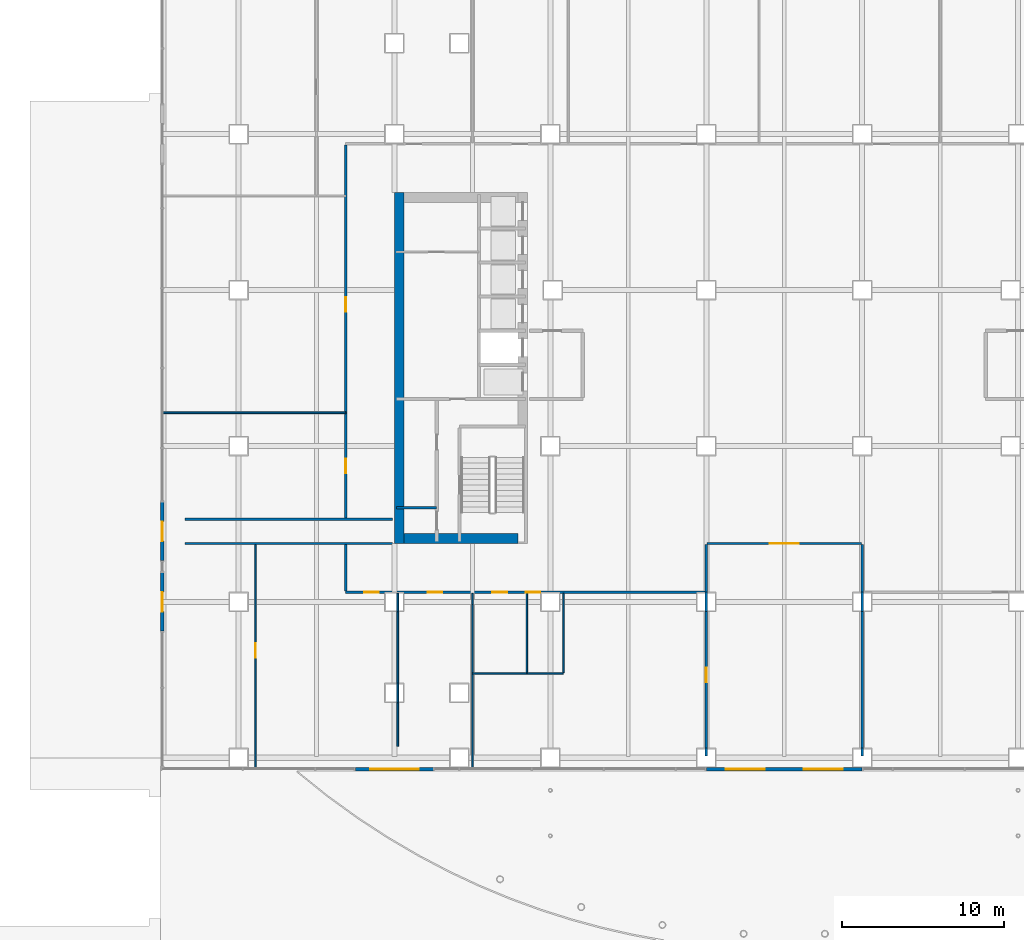
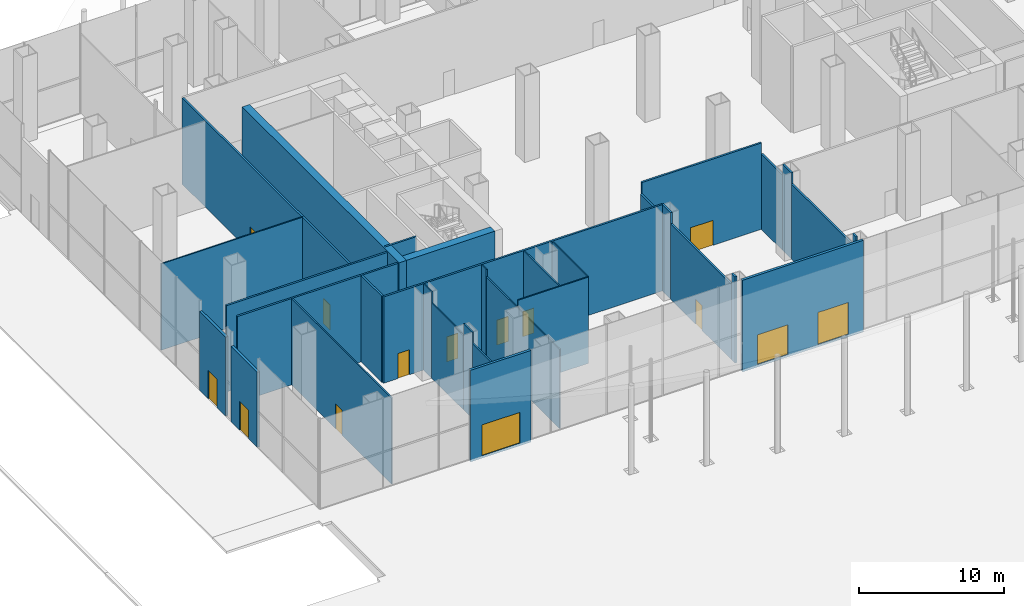
# One storey, part 26 of 36: 32 walls, 14 doors, 14 openings.
"""IFC4 building model written with IfcOpenShell, lengths in metres."""

from ifc_helpers import new_model, si_unit, direction, frame, frame_2d, origin, place, context, subcontext, project, spatial, rectangle, extrude, material, layer, layer_set, type_object, element, fill, save


model = new_model("IFC4")

# Units and contexts
model_context = context("Model", 3, precision=1e-05, world=origin(), true_north=direction((0.0, 1.0)))
body_context = subcontext(model_context, "Body", "Model", "MODEL_VIEW")
ifc_project = project(units=[si_unit("LENGTHUNIT", "METRE"), si_unit("AREAUNIT", "SQUARE_METRE"), si_unit("VOLUMEUNIT", "CUBIC_METRE"), si_unit("PLANEANGLEUNIT", "RADIAN"), si_unit("MASSUNIT", "GRAM", prefix="KILO")], contexts=[model_context])

# Site, building, storey
site_placement = place(None, origin())
site = spatial("IfcSite", under=ifc_project, at=site_placement, CompositionType="ELEMENT")
building_placement = place(site_placement, origin())
building = spatial("IfcBuilding", under=site, at=building_placement, Name="Cobrizo Arcos Hotel Tower", CompositionType="ELEMENT")
storey_placement = place(building_placement, origin())
storey = spatial("IfcBuildingStorey", under=building, at=storey_placement, Name="L00", CompositionType="ELEMENT", Elevation=0.0)

# Wall, openings, doors
ifc_material_1 = material(Name="Gypsum board partition")
ifc_layer_1 = layer(ifc_material_1, 0.14990234375)
ifc_layer_set_1 = layer_set([ifc_layer_1], Name="Corridor wall EI 60 150")
wall_type_1 = type_object("IfcWallType", Name="Corridor wall EI 60 150", PredefinedType="PARTITIONING", material=ifc_layer_set_1)
wall_1_placement = place(storey_placement, frame((-27.0, -13.800048828125, 0.0), z_axis=(0.0, 0.0, 1.0), x_axis=(1.0, 0.0, 0.0)))
wall_1 = element("IfcWall", 1, at=wall_1_placement, inside=storey, type_object=wall_type_1, Name="Partition 004", PredefinedType="PARTITIONING", context=body_context, shape_type="SweptSolid", body=[
    extrude(rectangle(XDim=22.199951171875, YDim=0.14990234375, at=frame_2d((11.10009765625, 0.0))), origin(), (0.0, 0.0, 1.0), 7.25),
])
opening_1_placement = place(wall_1_placement, frame((9.030029296875, 0.0, 0.0)))
opening_1 = element("IfcOpeningElement", 2, at=opening_1_placement, cuts=wall_1, Name="Opening ED-02", PredefinedType="OPENING", context=body_context, shape_type="SweptSolid", body=[
    extrude(rectangle(XDim=0.89990234375, YDim=2.10009765625, at=frame_2d((0.449951171875, 1.050048828125))), frame((0.0, 0.0869140625, 0.0), z_axis=(0.0, -1.0, 0.0), x_axis=(1.0, 0.0, 0.0)), (0.0, 0.0, 1.0), 0.173828125),
])
opening_2_placement = place(wall_1_placement, frame((11.080078125, 0.0, 0.0)))
opening_2 = element("IfcOpeningElement", 3, at=opening_2_placement, cuts=wall_1, Name="Opening ED-03", PredefinedType="OPENING", context=body_context, shape_type="SweptSolid", body=[
    extrude(rectangle(XDim=0.89990234375, YDim=2.10009765625, at=frame_2d((0.449951171875, 1.050048828125))), frame((0.0, 0.0869140625, 0.0), z_axis=(0.0, -1.0, 0.0), x_axis=(1.0, 0.0, 0.0)), (0.0, 0.0, 1.0), 0.173828125),
])
opening_3_placement = place(wall_1_placement, frame((1.137939453125, 0.0, 0.0)))
opening_3 = element("IfcOpeningElement", 4, at=opening_3_placement, cuts=wall_1, Name="Opening RD-07", PredefinedType="OPENING", context=body_context, shape_type="SweptSolid", body=[
    extrude(rectangle(XDim=0.89990234375, YDim=2.10009765625, at=frame_2d((0.449951171875, 1.050048828125))), frame((0.0, 0.0869140625, 0.0), z_axis=(0.0, -1.0, 0.0), x_axis=(1.0, 0.0, 0.0)), (0.0, 0.0, 1.0), 0.173828125),
])
opening_4_placement = place(wall_1_placement, frame((5.0390625, 0.0, 0.0)))
opening_4 = element("IfcOpeningElement", 5, at=opening_4_placement, cuts=wall_1, Name="Opening RD-10", PredefinedType="OPENING", context=body_context, shape_type="SweptSolid", body=[
    extrude(rectangle(XDim=0.89990234375, YDim=2.10009765625, at=frame_2d((0.449951171875, 1.050048828125))), frame((0.0, 0.0869140625, 0.0), z_axis=(0.0, -1.0, 0.0), x_axis=(1.0, 0.0, 0.0)), (0.0, 0.0, 1.0), 0.173828125),
])
ifc_material_2 = material(Name="Timber door leaf", Category="wood")
door_type_1 = type_object("IfcDoorType", Name="En-suite door 900x2100", OperationType="SINGLE_SWING_LEFT", PredefinedType="DOOR", material=ifc_material_2)
door_1_placement = place(opening_1_placement, origin())
door_1 = element("IfcDoor", 6, at=door_1_placement, inside=storey, type_object=door_type_1, Name="Door ED-02", OperationType="SINGLE_SWING_RIGHT", OverallHeight=2.10009765625, OverallWidth=0.89990234375, PredefinedType="DOOR", context=body_context, shape_type="SweptSolid", body=[
    extrude(rectangle(XDim=0.89990234375, YDim=2.10009765625, at=frame_2d((0.449951171875, 1.050048828125))), frame((0.0, 0.02490234375, 0.0), z_axis=(0.0, -1.0, 0.0), x_axis=(1.0, 0.0, 0.0)), (0.0, 0.0, 1.0), 0.050048828125),
])
fill(opening_1, door_1)
door_2_placement = place(opening_2_placement, origin())
door_2 = element("IfcDoor", 7, at=door_2_placement, inside=storey, type_object=door_type_1, Name="Door ED-03", OperationType="SINGLE_SWING_RIGHT", OverallHeight=2.10009765625, OverallWidth=0.89990234375, PredefinedType="DOOR", context=body_context, shape_type="SweptSolid", body=[
    extrude(rectangle(XDim=0.89990234375, YDim=2.10009765625, at=frame_2d((0.449951171875, 1.050048828125))), frame((0.0, 0.02490234375, 0.0), z_axis=(0.0, -1.0, 0.0), x_axis=(1.0, 0.0, 0.0)), (0.0, 0.0, 1.0), 0.050048828125),
])
fill(opening_2, door_2)
door_type_2 = type_object("IfcDoorType", Name="Room door FD30 900x2100", OperationType="SINGLE_SWING_LEFT", PredefinedType="DOOR", material=ifc_material_2)
door_3_placement = place(opening_3_placement, origin())
door_3 = element("IfcDoor", 8, at=door_3_placement, inside=storey, type_object=door_type_2, Name="Door RD-07", OperationType="SINGLE_SWING_LEFT", OverallHeight=2.10009765625, OverallWidth=0.89990234375, PredefinedType="DOOR", context=body_context, shape_type="SweptSolid", body=[
    extrude(rectangle(XDim=0.89990234375, YDim=2.10009765625, at=frame_2d((0.449951171875, 1.050048828125))), frame((0.0, 0.02490234375, 0.0), z_axis=(0.0, -1.0, 0.0), x_axis=(1.0, 0.0, 0.0)), (0.0, 0.0, 1.0), 0.050048828125),
])
fill(opening_3, door_3)
door_4_placement = place(opening_4_placement, origin())
door_4 = element("IfcDoor", 9, at=door_4_placement, inside=storey, type_object=door_type_2, Name="Door RD-10", OperationType="SINGLE_SWING_LEFT", OverallHeight=2.10009765625, OverallWidth=0.89990234375, PredefinedType="DOOR", context=body_context, shape_type="SweptSolid", body=[
    extrude(rectangle(XDim=0.89990234375, YDim=2.10009765625, at=frame_2d((0.449951171875, 1.050048828125))), frame((0.0, 0.02490234375, 0.0), z_axis=(0.0, -1.0, 0.0), x_axis=(1.0, 0.0, 0.0)), (0.0, 0.0, 1.0), 0.050048828125),
])
fill(opening_4, door_4)

# Wall
wall_2_placement = place(storey_placement, frame((-36.89990234375, -10.800048828125, 0.0), z_axis=(0.0, 0.0, 1.0), x_axis=(1.0, 0.0, 0.0)))
element("IfcWall", 10, at=wall_2_placement, inside=storey, type_object=wall_type_1, Name="Partition 006", PredefinedType="PARTITIONING", context=body_context, shape_type="SweptSolid", body=[
    extrude(rectangle(XDim=12.77978515625, YDim=0.14990234375, at=frame_2d((6.389892578125, 0.0))), origin(), (0.0, 0.0, 1.0), 7.25),
])

# Wall, opening, door
wall_3_placement = place(storey_placement, frame((-4.75, -10.800048828125, 0.0), z_axis=(0.0, 0.0, 1.0), x_axis=(1.0, 0.0, 0.0)))
wall_3 = element("IfcWall", 11, at=wall_3_placement, inside=storey, type_object=wall_type_1, Name="Partition 007", PredefinedType="PARTITIONING", context=body_context, shape_type="SweptSolid", body=[
    extrude(rectangle(XDim=9.5, YDim=0.14990234375, at=frame_2d((4.75, 0.0))), origin(), (0.0, 0.0, 1.0), 7.25),
])
opening_5_placement = place(wall_3_placement, frame((3.85009765625, 0.0, 0.0)))
opening_5 = element("IfcOpeningElement", 12, at=opening_5_placement, cuts=wall_3, Name="Opening DD-01", PredefinedType="OPENING", context=body_context, shape_type="SweptSolid", body=[
    extrude(rectangle(XDim=1.800048828125, YDim=2.10009765625, at=frame_2d((0.89990234375, 1.050048828125))), frame((0.0, 0.0869140625, 0.0), z_axis=(0.0, -1.0, 0.0), x_axis=(1.0, 0.0, 0.0)), (0.0, 0.0, 1.0), 0.173828125),
])
door_type_3 = type_object("IfcDoorType", Name="Double door FD30 1800x2100", OperationType="DOUBLE_DOOR_SINGLE_SWING", PredefinedType="DOOR", material=ifc_material_2)
door_5_placement = place(opening_5_placement, origin())
door_5 = element("IfcDoor", 13, at=door_5_placement, inside=storey, type_object=door_type_3, Name="Door DD-01", OperationType="DOUBLE_DOOR_SINGLE_SWING", OverallHeight=2.10009765625, OverallWidth=1.800048828125, PredefinedType="DOOR", context=body_context, shape_type="SweptSolid", body=[
    extrude(rectangle(XDim=1.800048828125, YDim=2.10009765625, at=frame_2d((0.89990234375, 1.050048828125))), frame((0.0, 0.02490234375, 0.0), z_axis=(0.0, -1.0, 0.0), x_axis=(1.0, 0.0, 0.0)), (0.0, 0.0, 1.0), 0.050048828125),
])
fill(opening_5, door_5)

# Walls
wall_4_placement = place(storey_placement, frame((-36.89990234375, -9.300048828125, 0.0), z_axis=(0.0, 0.0, 1.0), x_axis=(1.0, 0.0, 0.0)))
element("IfcWall", 14, at=wall_4_placement, inside=storey, type_object=wall_type_1, Name="Partition 009", PredefinedType="PARTITIONING", context=body_context, shape_type="SweptSolid", body=[
    extrude(rectangle(XDim=12.77978515625, YDim=0.14990234375, at=frame_2d((6.389892578125, 0.0))), origin(), (0.0, 0.0, 1.0), 7.25),
])
wall_5_placement = place(storey_placement, frame((-23.8798828125, -8.60009765625, 0.0), z_axis=(0.0, 0.0, 1.0), x_axis=(1.0, 0.0, 0.0)))
element("IfcWall", 15, at=wall_5_placement, inside=storey, type_object=wall_type_1, Name="Partition 011", PredefinedType="PARTITIONING", context=body_context, shape_type="SweptSolid", body=[
    extrude(rectangle(XDim=2.47998046875, YDim=0.14990234375, at=frame_2d((1.239990234375, 0.0))), origin(), (0.0, 0.0, 1.0), 7.199951171875),
])
wall_6_placement = place(storey_placement, frame((-27.0, -13.72509765625, 0.0), z_axis=(0.0, 0.0, 1.0), x_axis=(0.0, 1.0, 0.0)))
element("IfcWall", 16, at=wall_6_placement, inside=storey, type_object=wall_type_1, Name="Partition 042", PredefinedType="PARTITIONING", context=body_context, shape_type="SweptSolid", body=[
    extrude(rectangle(XDim=2.85009765625, YDim=0.14990234375, at=frame_2d((1.425048828125, 0.0))), origin(), (0.0, 0.0, 1.0), 7.25),
])

# Wall, openings, doors
wall_7_placement = place(storey_placement, frame((-27.0, -9.22509765625, 0.0), z_axis=(0.0, 0.0, 1.0), x_axis=(0.0, 1.0, 0.0)))
wall_7 = element("IfcWall", 17, at=wall_7_placement, inside=storey, type_object=wall_type_1, Name="Partition 043", PredefinedType="PARTITIONING", context=body_context, shape_type="SweptSolid", body=[
    extrude(rectangle(XDim=22.9501953125, YDim=0.14990234375, at=frame_2d((11.47509765625, 0.0))), origin(), (0.0, 0.0, 1.0), 7.25),
])
opening_6_placement = place(wall_7_placement, frame((2.739013671875, 0.0, 0.0)))
opening_6 = element("IfcOpeningElement", 18, at=opening_6_placement, cuts=wall_7, Name="Opening RD-13", PredefinedType="OPENING", context=body_context, shape_type="SweptSolid", body=[
    extrude(rectangle(XDim=0.89990234375, YDim=2.10009765625, at=frame_2d((0.449951171875, 1.050048828125))), frame((0.0, 0.0869140625, 0.0), z_axis=(0.0, -1.0, 0.0), x_axis=(1.0, 0.0, 0.0)), (0.0, 0.0, 1.0), 0.173828125),
])
opening_7_placement = place(wall_7_placement, frame((12.696044921875, 0.0, 0.0)))
opening_7 = element("IfcOpeningElement", 19, at=opening_7_placement, cuts=wall_7, Name="Opening RD-17", PredefinedType="OPENING", context=body_context, shape_type="SweptSolid", body=[
    extrude(rectangle(XDim=0.89990234375, YDim=2.10009765625, at=frame_2d((0.449951171875, 1.050048828125))), frame((0.0, 0.0869140625, 0.0), z_axis=(0.0, -1.0, 0.0), x_axis=(1.0, 0.0, 0.0)), (0.0, 0.0, 1.0), 0.173828125),
])
door_6_placement = place(opening_6_placement, origin())
door_6 = element("IfcDoor", 20, at=door_6_placement, inside=storey, type_object=door_type_2, Name="Door RD-13", OperationType="SINGLE_SWING_LEFT", OverallHeight=2.10009765625, OverallWidth=0.89990234375, PredefinedType="DOOR", context=body_context, shape_type="SweptSolid", body=[
    extrude(rectangle(XDim=0.89990234375, YDim=2.10009765625, at=frame_2d((0.449951171875, 1.050048828125))), frame((0.0, 0.02490234375, 0.0), z_axis=(0.0, -1.0, 0.0), x_axis=(1.0, 0.0, 0.0)), (0.0, 0.0, 1.0), 0.050048828125),
])
fill(opening_6, door_6)
door_7_placement = place(opening_7_placement, origin())
door_7 = element("IfcDoor", 21, at=door_7_placement, inside=storey, type_object=door_type_2, Name="Door RD-17", OperationType="SINGLE_SWING_LEFT", OverallHeight=2.10009765625, OverallWidth=0.89990234375, PredefinedType="DOOR", context=body_context, shape_type="SweptSolid", body=[
    extrude(rectangle(XDim=0.89990234375, YDim=2.10009765625, at=frame_2d((0.449951171875, 1.050048828125))), frame((0.0, 0.02490234375, 0.0), z_axis=(0.0, -1.0, 0.0), x_axis=(1.0, 0.0, 0.0)), (0.0, 0.0, 1.0), 0.050048828125),
])
fill(opening_7, door_7)

# Wall
wall_8_placement = place(storey_placement, frame((-4.800048828125, -23.8798828125, 0.0), z_axis=(0.0, 0.0, 1.0), x_axis=(0.0, 1.0, 0.0)))
element("IfcWall", 22, at=wall_8_placement, inside=storey, type_object=wall_type_1, Name="Partition 059", PredefinedType="PARTITIONING", context=body_context, shape_type="SweptSolid", body=[
    extrude(rectangle(XDim=0.47998046875, YDim=0.14990234375, at=frame_2d((0.239990234375, 0.0))), origin(), (0.0, 0.0, 1.0), 7.25),
])

# Wall, opening, door
wall_9_placement = place(storey_placement, frame((-4.800048828125, -23.39990234375, 0.0), z_axis=(0.0, 0.0, 1.0), x_axis=(0.0, 1.0, 0.0)))
wall_9 = element("IfcWall", 23, at=wall_9_placement, inside=storey, type_object=wall_type_1, Name="Partition 060", PredefinedType="PARTITIONING", context=body_context, shape_type="SweptSolid", body=[
    extrude(rectangle(XDim=8.39990234375, YDim=0.14990234375, at=frame_2d((4.199951171875, 0.0))), origin(), (0.0, 0.0, 1.0), 6.322998046875),
])
opening_8_placement = place(wall_9_placement, frame((4.050048828125, 0.0, 0.0)))
opening_8 = element("IfcOpeningElement", 24, at=opening_8_placement, cuts=wall_9, Name="Opening RD-06", PredefinedType="OPENING", context=body_context, shape_type="SweptSolid", body=[
    extrude(rectangle(XDim=0.89990234375, YDim=2.10009765625, at=frame_2d((0.449951171875, 1.050048828125))), frame((0.0, 0.0869140625, 0.0), z_axis=(0.0, -1.0, 0.0), x_axis=(1.0, 0.0, 0.0)), (0.0, 0.0, 1.0), 0.173828125),
])
door_8_placement = place(opening_8_placement, origin())
door_8 = element("IfcDoor", 25, at=door_8_placement, inside=storey, type_object=door_type_2, Name="Door RD-06", OperationType="SINGLE_SWING_RIGHT", OverallHeight=2.10009765625, OverallWidth=0.89990234375, PredefinedType="DOOR", context=body_context, shape_type="SweptSolid", body=[
    extrude(rectangle(XDim=0.89990234375, YDim=2.10009765625, at=frame_2d((0.449951171875, 1.050048828125))), frame((0.0, 0.02490234375, 0.0), z_axis=(0.0, -1.0, 0.0), x_axis=(1.0, 0.0, 0.0)), (0.0, 0.0, 1.0), 0.050048828125),
])
fill(opening_8, door_8)

# Walls
wall_10_placement = place(storey_placement, frame((-4.800048828125, -15.0, 0.0), z_axis=(0.0, 0.0, 1.0), x_axis=(0.0, 1.0, 0.0)))
element("IfcWall", 26, at=wall_10_placement, inside=storey, type_object=wall_type_1, Name="Partition 061", PredefinedType="PARTITIONING", context=body_context, shape_type="SweptSolid", body=[
    extrude(rectangle(XDim=1.199951171875, YDim=0.14990234375, at=frame_2d((0.60009765625, 0.0))), origin(), (0.0, 0.0, 1.0), 7.25),
])
wall_11_placement = place(storey_placement, frame((-4.800048828125, -13.800048828125, 0.0), z_axis=(0.0, 0.0, 1.0), x_axis=(0.0, 1.0, 0.0)))
element("IfcWall", 27, at=wall_11_placement, inside=storey, type_object=wall_type_1, Name="Partition 062", PredefinedType="PARTITIONING", context=body_context, shape_type="SweptSolid", body=[
    extrude(rectangle(XDim=2.949951171875, YDim=0.14990234375, at=frame_2d((1.47509765625, 0.0))), origin(), (0.0, 0.0, 1.0), 6.322998046875),
])
wall_12_placement = place(storey_placement, frame((4.800048828125, -23.8798828125, 0.0), z_axis=(0.0, 0.0, 1.0), x_axis=(0.0, 1.0, 0.0)))
element("IfcWall", 28, at=wall_12_placement, inside=storey, type_object=wall_type_1, Name="Partition 064", PredefinedType="PARTITIONING", context=body_context, shape_type="SweptSolid", body=[
    extrude(rectangle(XDim=0.47998046875, YDim=0.14990234375, at=frame_2d((0.239990234375, 0.0))), origin(), (0.0, 0.0, 1.0), 7.25),
])
wall_13_placement = place(storey_placement, frame((4.800048828125, -23.39990234375, 0.0), z_axis=(0.0, 0.0, 1.0), x_axis=(0.0, 1.0, 0.0)))
element("IfcWall", 29, at=wall_13_placement, inside=storey, type_object=wall_type_1, Name="Partition 065", PredefinedType="PARTITIONING", context=body_context, shape_type="SweptSolid", body=[
    extrude(rectangle(XDim=8.39990234375, YDim=0.14990234375, at=frame_2d((4.199951171875, 0.0))), origin(), (0.0, 0.0, 1.0), 6.322998046875),
])
wall_14_placement = place(storey_placement, frame((4.800048828125, -15.0, 0.0), z_axis=(0.0, 0.0, 1.0), x_axis=(0.0, 1.0, 0.0)))
element("IfcWall", 30, at=wall_14_placement, inside=storey, type_object=wall_type_1, Name="Partition 066", PredefinedType="PARTITIONING", context=body_context, shape_type="SweptSolid", body=[
    extrude(rectangle(XDim=1.199951171875, YDim=0.14990234375, at=frame_2d((0.60009765625, 0.0))), origin(), (0.0, 0.0, 1.0), 7.25),
])
wall_15_placement = place(storey_placement, frame((4.800048828125, -13.800048828125, 0.0), z_axis=(0.0, 0.0, 1.0), x_axis=(0.0, 1.0, 0.0)))
element("IfcWall", 31, at=wall_15_placement, inside=storey, type_object=wall_type_1, Name="Partition 067", PredefinedType="PARTITIONING", context=body_context, shape_type="SweptSolid", body=[
    extrude(rectangle(XDim=2.949951171875, YDim=0.14990234375, at=frame_2d((1.47509765625, 0.0))), origin(), (0.0, 0.0, 1.0), 6.322998046875),
])

# Wall, opening, door
ifc_material_3 = material(Name="Aluminium 6063-T6 anodised pale", Category="aluminium")
ifc_layer_2 = layer(ifc_material_3, 0.199951171875)
ifc_layer_set_2 = layer_set([ifc_layer_2], Name="EW-2 shopfront wall")
wall_type_2 = type_object("IfcWallType", Name="EW-2 shopfront wall", PredefinedType="SOLIDWALL", material=ifc_layer_set_2)
wall_16_placement = place(storey_placement, frame((-38.300048828125, -11.85009765625, 0.0), z_axis=(0.0, 0.0, 1.0), x_axis=(0.0, 1.0, 0.0)))
wall_16 = element("IfcWall", 32, at=wall_16_placement, inside=storey, type_object=wall_type_2, Name="Entrance wall L00 W", PredefinedType="SOLIDWALL", context=body_context, shape_type="SweptSolid", body=[
    extrude(rectangle(XDim=3.60009765625, YDim=0.199951171875, at=frame_2d((1.800048828125, 0.0))), origin(), (0.0, 0.0, 1.0), 6.627685546875),
])
opening_9_placement = place(wall_16_placement, frame((1.199951171875, 0.0, 0.0)))
opening_9 = element("IfcOpeningElement", 33, at=opening_9_placement, cuts=wall_16, Name="Opening E-07", PredefinedType="OPENING", context=body_context, shape_type="SweptSolid", body=[
    extrude(rectangle(XDim=1.199951171875, YDim=2.39990234375, at=frame_2d((0.60009765625, 1.199951171875))), frame((0.0, 0.112060546875, 0.0), z_axis=(0.0, -1.0, 0.0), x_axis=(1.0, 0.0, 0.0)), (0.0, 0.0, 1.0), 0.223876953125),
])
ifc_material_4 = material(Name="Aluminium 6063-T6 and clear laminated glass", Category="aluminium")
door_type_4 = type_object("IfcDoorType", Name="D-X1 stair discharge door 1200x2400", OperationType="SINGLE_SWING_LEFT", PredefinedType="DOOR", material=ifc_material_4)
door_9_placement = place(opening_9_placement, origin())
door_9 = element("IfcDoor", 34, at=door_9_placement, inside=storey, type_object=door_type_4, Name="Entrance wall L00 W door E-07", OperationType="SINGLE_SWING_LEFT", OverallHeight=2.39990234375, OverallWidth=1.199951171875, PredefinedType="DOOR", context=body_context, shape_type="SweptSolid", body=[
    extrude(rectangle(XDim=1.199951171875, YDim=2.39990234375, at=frame_2d((0.60009765625, 1.199951171875))), frame((0.0, 0.02490234375, 0.0), z_axis=(0.0, -1.0, 0.0), x_axis=(1.0, 0.0, 0.0)), (0.0, 0.0, 1.0), 0.050048828125),
])
fill(opening_9, door_9)

wall_17_placement = place(storey_placement, frame((-38.300048828125, -16.199951171875, 0.0), z_axis=(0.0, 0.0, 1.0), x_axis=(0.0, 1.0, 0.0)))
wall_17 = element("IfcWall", 35, at=wall_17_placement, inside=storey, type_object=wall_type_2, Name="Entrance wall L00 W", PredefinedType="SOLIDWALL", context=body_context, shape_type="SweptSolid", body=[
    extrude(rectangle(XDim=3.599853515625, YDim=0.199951171875, at=frame_2d((1.7998046875, 0.0))), origin(), (0.0, 0.0, 1.0), 6.322998046875),
])
opening_10_placement = place(wall_17_placement, frame((1.199951171875, 0.0, 0.0)))
opening_10 = element("IfcOpeningElement", 36, at=opening_10_placement, cuts=wall_17, Name="Opening E-08", PredefinedType="OPENING", context=body_context, shape_type="SweptSolid", body=[
    extrude(rectangle(XDim=1.199951171875, YDim=2.39990234375, at=frame_2d((0.60009765625, 1.199951171875))), frame((0.0, 0.112060546875, 0.0), z_axis=(0.0, -1.0, 0.0), x_axis=(1.0, 0.0, 0.0)), (0.0, 0.0, 1.0), 0.223876953125),
])
door_10_placement = place(opening_10_placement, origin())
door_10 = element("IfcDoor", 37, at=door_10_placement, inside=storey, type_object=door_type_4, Name="Entrance wall L00 W door E-08", OperationType="SINGLE_SWING_LEFT", OverallHeight=2.39990234375, OverallWidth=1.199951171875, PredefinedType="DOOR", context=body_context, shape_type="SweptSolid", body=[
    extrude(rectangle(XDim=1.199951171875, YDim=2.39990234375, at=frame_2d((0.60009765625, 1.199951171875))), frame((0.0, 0.02490234375, 0.0), z_axis=(0.0, -1.0, 0.0), x_axis=(1.0, 0.0, 0.0)), (0.0, 0.0, 1.0), 0.050048828125),
])
fill(opening_10, door_10)

wall_18_placement = place(storey_placement, frame((-26.39990234375, -24.699951171875, -0.199951171875), z_axis=(0.0, 0.0, 1.0), x_axis=(1.0, 0.0, 0.0)))
wall_18 = element("IfcWall", 38, at=wall_18_placement, inside=storey, type_object=wall_type_2, Name="Entrance wall L00 S", PredefinedType="SOLIDWALL", context=body_context, shape_type="SweptSolid", body=[
    extrude(rectangle(XDim=4.7998046875, YDim=0.199951171875, at=frame_2d((2.39990234375, 0.0))), origin(), (0.0, 0.0, 1.0), 7.699951171875),
])
opening_11_placement = place(wall_18_placement, frame((0.89990234375, 0.0, 0.199951171875)))
opening_11 = element("IfcOpeningElement", 39, at=opening_11_placement, cuts=wall_18, Name="Opening E-09", PredefinedType="OPENING", context=body_context, shape_type="SweptSolid", body=[
    extrude(rectangle(XDim=3.0, YDim=2.60009765625, at=frame_2d((1.5, 1.300048828125))), frame((0.0, 0.112060546875, 0.0), z_axis=(0.0, -1.0, 0.0), x_axis=(1.0, 0.0, 0.0)), (0.0, 0.0, 1.0), 0.223876953125),
])
door_type_5 = type_object("IfcDoorType", Name="D-V1 revolving entrance door 3000x2600", OperationType="REVOLVING", PredefinedType="DOOR", material=ifc_material_4)
door_11_placement = place(opening_11_placement, origin())
door_11 = element("IfcDoor", 40, at=door_11_placement, inside=storey, type_object=door_type_5, Name="Entrance wall L00 S door E-09", OperationType="REVOLVING", OverallHeight=2.60009765625, OverallWidth=3.0, PredefinedType="DOOR", context=body_context, shape_type="SweptSolid", body=[
    extrude(rectangle(XDim=3.0, YDim=2.60009765625, at=frame_2d((1.5, 1.300048828125))), frame((0.0, 0.02490234375, 0.0), z_axis=(0.0, -1.0, 0.0), x_axis=(1.0, 0.0, 0.0)), (0.0, 0.0, 1.0), 0.050048828125),
])
fill(opening_11, door_11)

# Wall, openings, doors
wall_19_placement = place(storey_placement, frame((-4.800048828125, -24.699951171875, -0.199951171875), z_axis=(0.0, 0.0, 1.0), x_axis=(1.0, 0.0, 0.0)))
wall_19 = element("IfcWall", 41, at=wall_19_placement, inside=storey, type_object=wall_type_2, Name="Entrance wall L00 S", PredefinedType="SOLIDWALL", context=body_context, shape_type="SweptSolid", body=[
    extrude(rectangle(XDim=9.60009765625, YDim=0.199951171875, at=frame_2d((4.800048828125, 0.0))), origin(), (0.0, 0.0, 1.0), 7.699951171875),
])
opening_12_placement = place(wall_19_placement, frame((1.199951171875, 0.0, 0.199951171875)))
opening_12 = element("IfcOpeningElement", 42, at=opening_12_placement, cuts=wall_19, Name="Opening E-10", PredefinedType="OPENING", context=body_context, shape_type="SweptSolid", body=[
    extrude(rectangle(XDim=2.39990234375, YDim=2.5, at=frame_2d((1.199951171875, 1.25))), frame((0.0, 0.112060546875, 0.0), z_axis=(0.0, -1.0, 0.0), x_axis=(1.0, 0.0, 0.0)), (0.0, 0.0, 1.0), 0.223876953125),
])
opening_13_placement = place(wall_19_placement, frame((6.0, 0.0, 0.199951171875)))
opening_13 = element("IfcOpeningElement", 43, at=opening_13_placement, cuts=wall_19, Name="Opening E-11", PredefinedType="OPENING", context=body_context, shape_type="SweptSolid", body=[
    extrude(rectangle(XDim=2.39990234375, YDim=2.699951171875, at=frame_2d((1.199951171875, 1.35009765625))), frame((0.0, 0.112060546875, 0.0), z_axis=(0.0, -1.0, 0.0), x_axis=(1.0, 0.0, 0.0)), (0.0, 0.0, 1.0), 0.223876953125),
])
door_type_6 = type_object("IfcDoorType", Name="D-A1 automatic sliding entrance door 2400x2700", OperationType="DOUBLE_DOOR_SLIDING", PredefinedType="DOOR", material=ifc_material_4)
door_12_placement = place(opening_13_placement, origin())
door_12 = element("IfcDoor", 44, at=door_12_placement, inside=storey, type_object=door_type_6, Name="Entrance wall L00 S door E-11", OperationType="DOUBLE_DOOR_SLIDING", OverallHeight=2.699951171875, OverallWidth=2.39990234375, PredefinedType="DOOR", context=body_context, shape_type="SweptSolid", body=[
    extrude(rectangle(XDim=2.39990234375, YDim=2.699951171875, at=frame_2d((1.199951171875, 1.35009765625))), frame((0.0, 0.02490234375, 0.0), z_axis=(0.0, -1.0, 0.0), x_axis=(1.0, 0.0, 0.0)), (0.0, 0.0, 1.0), 0.050048828125),
])
fill(opening_13, door_12)
door_type_7 = type_object("IfcDoorType", Name="D-E1 entrance double door 2400x2500", OperationType="DOUBLE_DOOR_DOUBLE_SWING", PredefinedType="DOOR", material=ifc_material_4)
door_13_placement = place(opening_12_placement, origin())
door_13 = element("IfcDoor", 45, at=door_13_placement, inside=storey, type_object=door_type_7, Name="Entrance wall L00 S door E-10", OperationType="DOUBLE_DOOR_DOUBLE_SWING", OverallHeight=2.5, OverallWidth=2.39990234375, PredefinedType="DOOR", context=body_context, shape_type="SweptSolid", body=[
    extrude(rectangle(XDim=2.39990234375, YDim=2.5, at=frame_2d((1.199951171875, 1.25))), frame((0.0, 0.02490234375, 0.0), z_axis=(0.0, -1.0, 0.0), x_axis=(1.0, 0.0, 0.0)), (0.0, 0.0, 1.0), 0.050048828125),
])
fill(opening_12, door_13)

# Walls
ifc_layer_3 = layer(ifc_material_1, 0.10009765625)
ifc_layer_set_3 = layer_set([ifc_layer_3], Name="Partition EI 30 100")
wall_type_3 = type_object("IfcWallType", Name="Partition EI 30 100", PredefinedType="PARTITIONING", material=ifc_layer_set_3)
wall_20_placement = place(storey_placement, frame((-19.199951171875, -18.800048828125, 0.0), z_axis=(0.0, 0.0, 1.0), x_axis=(1.0, 0.0, 0.0)))
element("IfcWall", 46, at=wall_20_placement, inside=storey, type_object=wall_type_3, Name="Partition 003", PredefinedType="PARTITIONING", context=body_context, shape_type="SweptSolid", body=[
    extrude(rectangle(XDim=5.599853515625, YDim=0.10009765625, at=frame_2d((2.7998046875, 0.0))), origin(), (0.0, 0.0, 1.0), 7.25),
])
wall_21_placement = place(storey_placement, frame((-38.280029296875, -2.75, 0.0), z_axis=(0.0, 0.0, 1.0), x_axis=(1.0, 0.0, 0.0)))
element("IfcWall", 47, at=wall_21_placement, inside=storey, type_object=wall_type_3, Name="Partition 015", PredefinedType="PARTITIONING", context=body_context, shape_type="SweptSolid", body=[
    extrude(rectangle(XDim=11.280029296875, YDim=0.10009765625, at=frame_2d((5.64013671875, 0.0))), origin(), (0.0, 0.0, 1.0), 7.25),
])

# Wall, opening, door
wall_22_placement = place(storey_placement, frame((-32.550048828125, -24.6298828125, 0.0), z_axis=(0.0, 0.0, 1.0), x_axis=(0.0, 1.0, 0.0)))
wall_22 = element("IfcWall", 48, at=wall_22_placement, inside=storey, type_object=wall_type_3, Name="Partition 038", PredefinedType="PARTITIONING", context=body_context, shape_type="SweptSolid", body=[
    extrude(rectangle(XDim=13.7548828125, YDim=0.10009765625, at=frame_2d((6.87744140625, 0.0))), origin(), (0.0, 0.0, 1.0), 7.25),
])
opening_14_placement = place(wall_22_placement, frame((6.780029296875, 0.0, 0.0)))
opening_14 = element("IfcOpeningElement", 49, at=opening_14_placement, cuts=wall_22, Name="Opening RD-19", PredefinedType="OPENING", context=body_context, shape_type="SweptSolid", body=[
    extrude(rectangle(XDim=0.89990234375, YDim=2.10009765625, at=frame_2d((0.449951171875, 1.050048828125))), frame((0.0, 0.06201171875, 0.0), z_axis=(0.0, -1.0, 0.0), x_axis=(1.0, 0.0, 0.0)), (0.0, 0.0, 1.0), 0.1240234375),
])
door_14_placement = place(opening_14_placement, origin())
door_14 = element("IfcDoor", 50, at=door_14_placement, inside=storey, type_object=door_type_2, Name="Door RD-19", OperationType="SINGLE_SWING_LEFT", OverallHeight=2.10009765625, OverallWidth=0.89990234375, PredefinedType="DOOR", context=body_context, shape_type="SweptSolid", body=[
    extrude(rectangle(XDim=0.89990234375, YDim=2.10009765625, at=frame_2d((0.449951171875, 1.050048828125))), frame((0.0, 0.02490234375, 0.0), z_axis=(0.0, -1.0, 0.0), x_axis=(1.0, 0.0, 0.0)), (0.0, 0.0, 1.0), 0.050048828125),
])
fill(opening_14, door_14)

# Walls
wall_23_placement = place(storey_placement, frame((-23.800048828125, -23.300048828125, 0.0), z_axis=(0.0, 0.0, 1.0), x_axis=(0.0, 1.0, 0.0)))
element("IfcWall", 51, at=wall_23_placement, inside=storey, type_object=wall_type_3, Name="Partition 044", PredefinedType="PARTITIONING", context=body_context, shape_type="SweptSolid", body=[
    extrude(rectangle(XDim=2.699951171875, YDim=0.10009765625, at=frame_2d((1.35009765625, 0.0))), origin(), (0.0, 0.0, 1.0), 6.322998046875),
])
wall_24_placement = place(storey_placement, frame((-23.800048828125, -20.60009765625, 0.0), z_axis=(0.0, 0.0, 1.0), x_axis=(0.0, 1.0, 0.0)))
element("IfcWall", 52, at=wall_24_placement, inside=storey, type_object=wall_type_3, Name="Partition 045", PredefinedType="PARTITIONING", context=body_context, shape_type="SweptSolid", body=[
    extrude(rectangle(XDim=1.2001953125, YDim=0.10009765625, at=frame_2d((0.60009765625, 0.0))), origin(), (0.0, 0.0, 1.0), 7.25),
])
wall_25_placement = place(storey_placement, frame((-23.800048828125, -19.39990234375, 0.0), z_axis=(0.0, 0.0, 1.0), x_axis=(0.0, 1.0, 0.0)))
element("IfcWall", 53, at=wall_25_placement, inside=storey, type_object=wall_type_3, Name="Partition 046", PredefinedType="PARTITIONING", context=body_context, shape_type="SweptSolid", body=[
    extrude(rectangle(XDim=4.39990234375, YDim=0.10009765625, at=frame_2d((2.199951171875, 0.0))), origin(), (0.0, 0.0, 1.0), 6.322998046875),
])
wall_26_placement = place(storey_placement, frame((-23.800048828125, -15.0, 0.0), z_axis=(0.0, 0.0, 1.0), x_axis=(0.0, 1.0, 0.0)))
element("IfcWall", 54, at=wall_26_placement, inside=storey, type_object=wall_type_3, Name="Partition 047", PredefinedType="PARTITIONING", context=body_context, shape_type="SweptSolid", body=[
    extrude(rectangle(XDim=1.125, YDim=0.10009765625, at=frame_2d((0.5625, 0.0))), origin(), (0.0, 0.0, 1.0), 7.25),
])
wall_27_placement = place(storey_placement, frame((-19.199951171875, -24.6298828125, 0.0), z_axis=(0.0, 0.0, 1.0), x_axis=(0.0, 1.0, 0.0)))
element("IfcWall", 55, at=wall_27_placement, inside=storey, type_object=wall_type_3, Name="Partition 050", PredefinedType="PARTITIONING", context=body_context, shape_type="SweptSolid", body=[
    extrude(rectangle(XDim=10.076171875, YDim=0.10009765625, at=frame_2d((5.0380859375, 0.0))), origin(), (0.0, 0.0, 1.0), 6.633056640625),
])
wall_28_placement = place(storey_placement, frame((-19.199951171875, -14.553955078125, 0.0), z_axis=(0.0, 0.0, 1.0), x_axis=(0.0, 1.0, 0.0)))
element("IfcWall", 56, at=wall_28_placement, inside=storey, type_object=wall_type_3, Name="Partition 051", PredefinedType="PARTITIONING", context=body_context, shape_type="SweptSolid", body=[
    extrude(rectangle(XDim=0.678955078125, YDim=0.10009765625, at=frame_2d((0.33935546875, 0.0))), origin(), (0.0, 0.0, 1.0), 7.25),
])
for number, where, z_axis, x_axis, name in (
    (57, (-15.85009765625, -18.75, 0.0), (0.0, 0.0, 1.0), (0.0, 1.0, 0.0), "Partition 055"),
    (58, (-13.60009765625, -18.75, 0.0), (0.0, 0.0, 1.0), (0.0, 1.0, 0.0), "Partition 056"),
):
    element("IfcWall", number, at=place(storey_placement, frame(where, z_axis=z_axis, x_axis=x_axis)), inside=storey, type_object=wall_type_3, Name=name, PredefinedType="PARTITIONING", context=body_context, shape_type="SweptSolid", body=[
        extrude(rectangle(XDim=4.875, YDim=0.10009765625, at=frame_2d((2.4375, 0.0))), origin(), (0.0, 0.0, 1.0), 7.25),
    ])
ifc_material_5 = material(Name="Concrete f'c 60 MPa", Category="concrete")
ifc_layer_4 = layer(ifc_material_5, 0.60009765625)
ifc_layer_set_4 = layer_set([ifc_layer_4], Name="RC core wall 600 f'c 60")
wall_type_4 = type_object("IfcWallType", Name="RC core wall 600 f'c 60", PredefinedType="SHEAR", material=ifc_layer_set_4)
wall_29_placement = place(storey_placement, frame((-23.699951171875, -10.800048828125, 0.0), z_axis=(0.0, 0.0, 1.0), x_axis=(0.0, 1.0, 0.0)))
element("IfcWall", 59, at=wall_29_placement, inside=storey, type_object=wall_type_4, Name="Core wall CW1, west core, outer face, L00", PredefinedType="SHEAR", context=body_context, shape_type="SweptSolid", body=[
    extrude(rectangle(XDim=21.60009765625, YDim=0.60009765625, at=frame_2d((10.800048828125, 0.0))), origin(), (0.0, 0.0, 1.0), 7.199951171875),
])
wall_30_placement = place(storey_placement, frame((-23.39990234375, -10.5, 0.0), z_axis=(0.0, 0.0, 1.0), x_axis=(1.0, 0.0, 0.0)))
element("IfcWall", 60, at=wall_30_placement, inside=storey, type_object=wall_type_4, Name="Core wall CW1, west core, south end, L00", PredefinedType="SHEAR", context=body_context, shape_type="SweptSolid", body=[
    extrude(rectangle(XDim=7.0, YDim=0.60009765625, at=frame_2d((3.5, 0.0))), origin(), (0.0, 0.0, 1.0), 7.199951171875),
])

save(model, "model.ifc")
